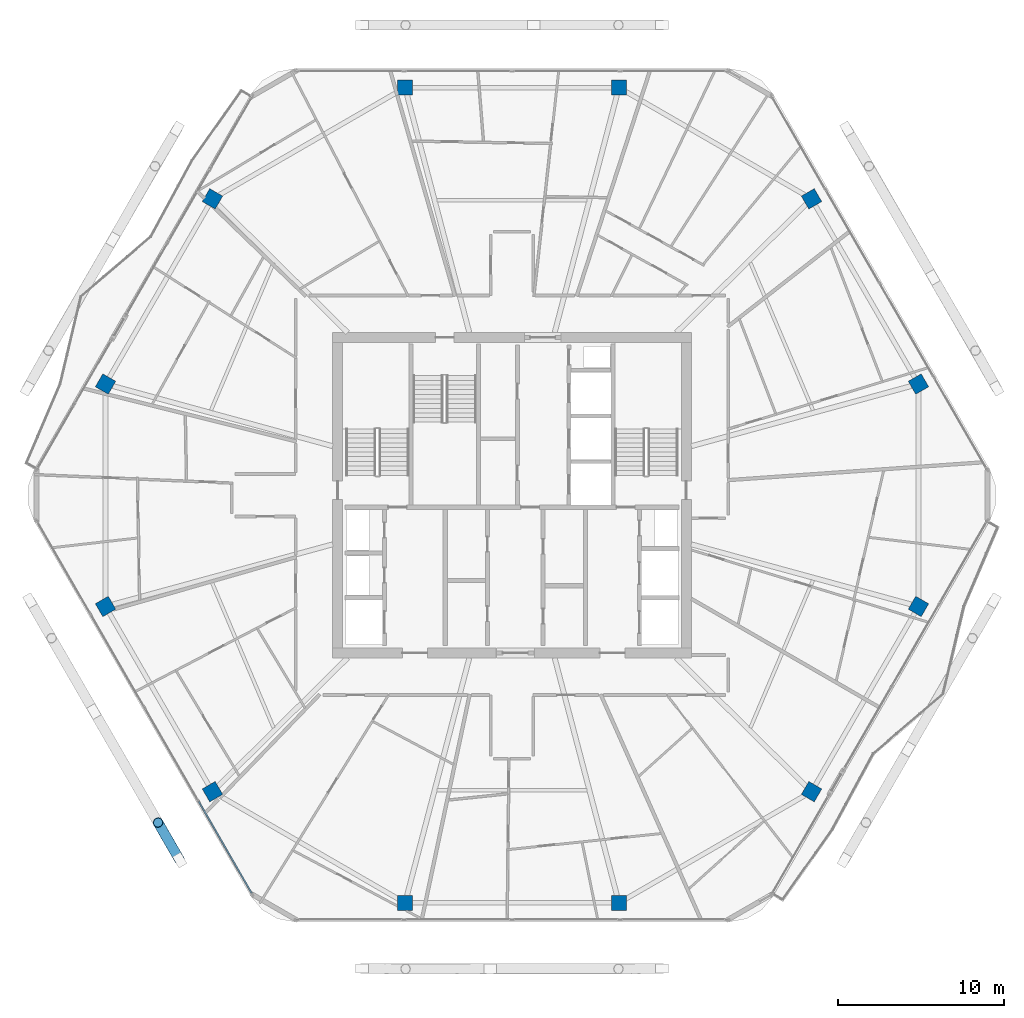
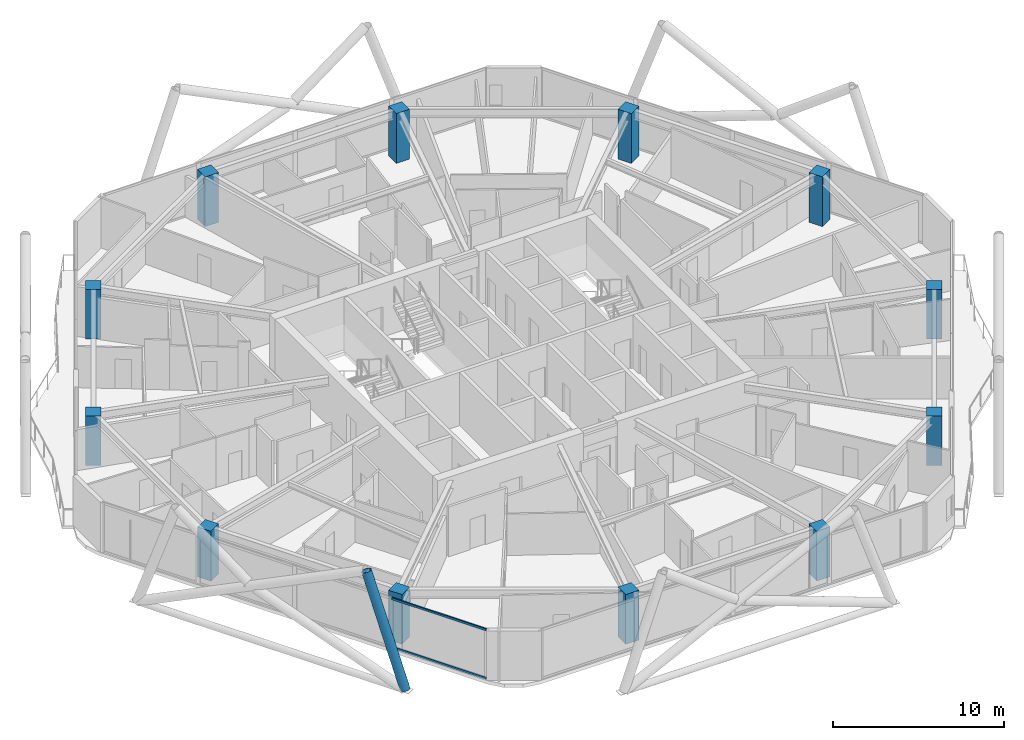
# One storey, part 1 of 29: 12 columns, 3 members, 1 element without a shape of its own.
"""IFC4 building model written with IfcOpenShell, lengths in metres."""

from ifc_helpers import new_model, si_unit, direction, frame, origin, origin_2d, place, context, subcontext, project, spatial, rectangle, hollow_rectangle, hollow_circle, extrude, material, material_profile, profile_set, type_object, element, aggregate, save


model = new_model("IFC4")

# Units and contexts
model_context = context("Model", 3, precision=1e-05, world=origin(), true_north=direction((0.0, 1.0)))
body_context = subcontext(model_context, "Body", "Model", "MODEL_VIEW")
ifc_project = project(units=[si_unit("LENGTHUNIT", "METRE"), si_unit("AREAUNIT", "SQUARE_METRE"), si_unit("VOLUMEUNIT", "CUBIC_METRE"), si_unit("PLANEANGLEUNIT", "RADIAN"), si_unit("MASSUNIT", "GRAM", prefix="KILO")], contexts=[model_context])

# Site, building, storey
site_placement = place(None, origin())
site = spatial("IfcSite", under=ifc_project, at=site_placement, CompositionType="ELEMENT")
building_placement = place(site_placement, origin())
building = spatial("IfcBuilding", under=site, at=building_placement, Name="Zuhravey Tower", CompositionType="ELEMENT")
storey_placement = place(building_placement, frame((0.0, 0.0, 246.39990234375)))
storey = spatial("IfcBuildingStorey", under=building, at=storey_placement, Name="L62", CompositionType="ELEMENT", Elevation=246.39990234375)

# Columns
ifc_material_1 = material(Name="Concrete C50/60", Category="concrete")
ifc_material_profile_1 = material_profile(ifc_material_1, rectangle(XDim=0.89990234375, YDim=0.89990234375, at=origin_2d()), Name="RC-900x900")
ifc_profile_set_1 = profile_set([ifc_material_profile_1], Name="Concrete C50/60")
column_type = type_object("IfcColumnType", Name="Zone 3 Perimeter Column 900x900", PredefinedType="COLUMN", material=ifc_profile_set_1)
for number, where, z_axis, x_axis, name in (
    (1, (60.484619140625, 38.698974609375, 0.0), (0.0, 0.0, 1.0), (-0.5, 0.866025403784, 0.0), "L62 Perimeter Column PC01"),
    (2, (54.043701171875, 49.854736328125, 0.0), (0.0, 0.0, 1.0), (-0.5, 0.866025403784, 0.0), "L62 Perimeter Column PC02"),
    (3, (42.44091796875, 56.5537109375, 0.0), (0.0, 0.0, 1.0), (-1.0, 0.0, 0.0), "L62 Perimeter Column PC03"),
    (4, (29.55908203125, 56.5537109375, 0.0), (0.0, 0.0, 1.0), (-1.0, 0.0, 0.0), "L62 Perimeter Column PC04"),
    (5, (17.956298828125, 49.854736328125, 0.0), (0.0, 0.0, 1.0), (-0.5, -0.866025403784, 0.0), "L62 Perimeter Column PC05"),
    (6, (11.515380859375, 38.698974609375, 0.0), (0.0, 0.0, 1.0), (-0.5, -0.866025403784, 0.0), "L62 Perimeter Column PC06"),
    (7, (11.515380859375, 25.301025390625, 0.0), (0.0, 0.0, 1.0), (0.5, -0.866025403784, 0.0), "L62 Perimeter Column PC07"),
    (8, (17.956298828125, 14.145263671875, 0.0), (0.0, 0.0, 1.0), (0.5, -0.866025403784, 0.0), "L62 Perimeter Column PC08"),
    (9, (29.55908203125, 7.4462890625, 0.0), (0.0, 0.0, 1.0), (1.0, 0.0, 0.0), "L62 Perimeter Column PC09"),
    (10, (42.44091796875, 7.4462890625, 0.0), (0.0, 0.0, 1.0), (1.0, 0.0, 0.0), "L62 Perimeter Column PC10"),
    (11, (54.043701171875, 14.145263671875, 0.0), (0.0, 0.0, 1.0), (0.5, 0.866025403784, 0.0), "L62 Perimeter Column PC11"),
    (12, (60.484619140625, 25.301025390625, 0.0), (0.0, 0.0, 1.0), (0.5, 0.866025403784, 0.0), "L62 Perimeter Column PC12"),
):
    element("IfcColumn", number, at=place(storey_placement, frame(where, z_axis=z_axis, x_axis=x_axis)), inside=storey, type_object=column_type, Name=name, PredefinedType="COLUMN", context=body_context, shape_type="SweptSolid", body=[
        extrude(rectangle(XDim=0.89990234375, YDim=0.89990234375, at=origin_2d()), origin(), (0.0, 0.0, 1.0), 3.550048828125),
    ])

# Curtain wall, members
ifc_material_2 = material(Name="Thermally broken anodised aluminium", Category="aluminium")
curtain_wall_type = type_object("IfcCurtainWallType", Name="Zone 3-4 High-Rise Curtain Wall CW4", PredefinedType="NOTDEFINED", material=ifc_material_2)
curtain_wall_placement = place(storey_placement, origin())
curtain_wall = element("IfcCurtainWall", 13, at=curtain_wall_placement, inside=storey, type_object=curtain_wall_type, Name="L62 CW4 CW-L62-F4-1", PredefinedType="NOTDEFINED")
ifc_material_3 = material(Name="Anodised aluminium", Category="aluminium")
ifc_material_profile_2 = material_profile(ifc_material_3, hollow_rectangle(XDim=0.090087890625, YDim=0.14990234375, WallThickness=0.0048828125, at=origin_2d()), Name="ALU-RHS-90x150x5")
ifc_profile_set_2 = profile_set([ifc_material_profile_2], Name="Anodised aluminium")
member_type_1 = type_object("IfcMemberType", Name="Curtain-Wall Transom 90x150", PredefinedType="USERDEFINED", material=ifc_profile_set_2)
member_1_placement = place(storey_placement, frame((20.322509765625, 8.02685546875, 0.045166015625), z_axis=(-0.499980071345, 0.866036909293, 0.0), x_axis=(-0.866036909293, -0.499980071345, 0.0)))
member_1 = element("IfcMember", 14, at=member_1_placement, type_object=member_type_1, Name="CW4 transom 1.1", ObjectType="TRANSOM", PredefinedType="USERDEFINED", context=body_context, shape_type="SweptSolid", body=[
    extrude(hollow_rectangle(XDim=0.090087890625, YDim=0.14990234375, WallThickness=0.0048828125, at=origin_2d()), origin(), (0.0, 0.0, 1.0), 6.371337890625),
])
member_2_placement = place(storey_placement, frame((20.322509765625, 8.02685546875, 3.505126953125), z_axis=(-0.499980071345, 0.866036909293, 0.0), x_axis=(-0.866036909293, -0.499980071345, 0.0)))
member_2 = element("IfcMember", 15, at=member_2_placement, type_object=member_type_1, Name="CW4 transom 1.2", ObjectType="TRANSOM", PredefinedType="USERDEFINED", context=body_context, shape_type="SweptSolid", body=[
    extrude(hollow_rectangle(XDim=0.090087890625, YDim=0.14990234375, WallThickness=0.0048828125, at=origin_2d()), origin(), (0.0, 0.0, 1.0), 6.371337890625),
])
aggregate(curtain_wall, [member_1, member_2])

# Member
ifc_material_4 = material(Name="Steel SM355", Category="steel")
ifc_material_profile_3 = material_profile(ifc_material_4, hollow_circle(Radius=0.3046875, WallThickness=0.028076171875, at=origin_2d()), Name="CHS-609.6x28")
ifc_profile_set_3 = profile_set([ifc_material_profile_3], Name="Steel SM355")
member_type_2 = type_object("IfcMemberType", Name="Exoskeleton Zone 3 Diagrid CHS610x28", PredefinedType="BRACE", material=ifc_profile_set_3)
member_3_placement = place(storey_placement, frame((15.982421875, 10.024169921875, -0.44580078125), z_axis=(-0.163029217662, 0.282394798701, 0.945343668649), x_axis=(-0.866040668696, -0.499973559465, 0.0)))
element("IfcMember", 16, at=member_3_placement, inside=storey, type_object=member_type_2, Name="L62 Face 4 Diagrid Brace 4", PredefinedType="BRACE", context=body_context, shape_type="SweptSolid", body=[
    extrude(hollow_circle(Radius=0.3046875, WallThickness=0.028076171875, at=origin_2d()), origin(), (0.0, 0.0, 1.0), 8.001220703125),
])

save(model, "model.ifc")
